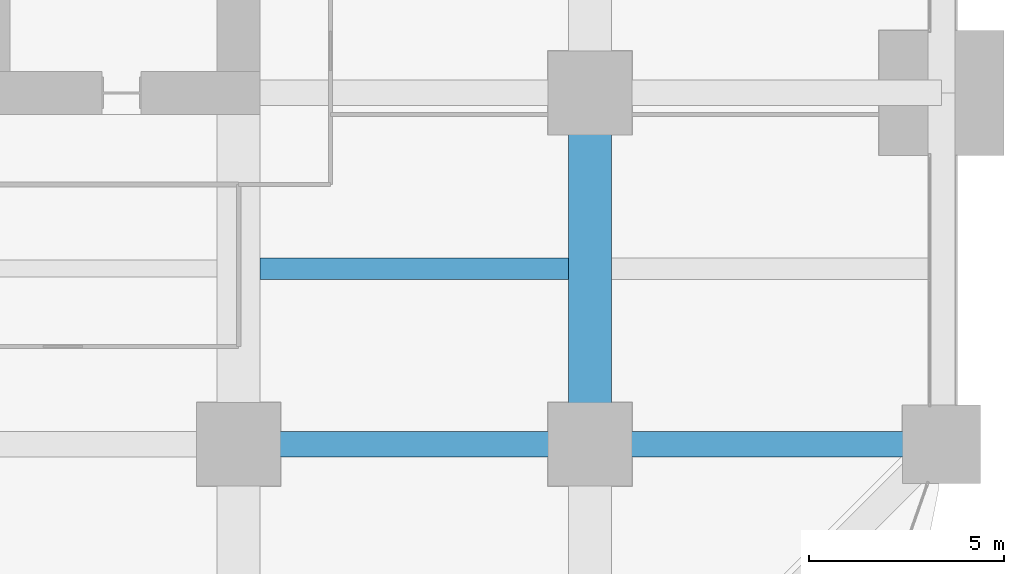
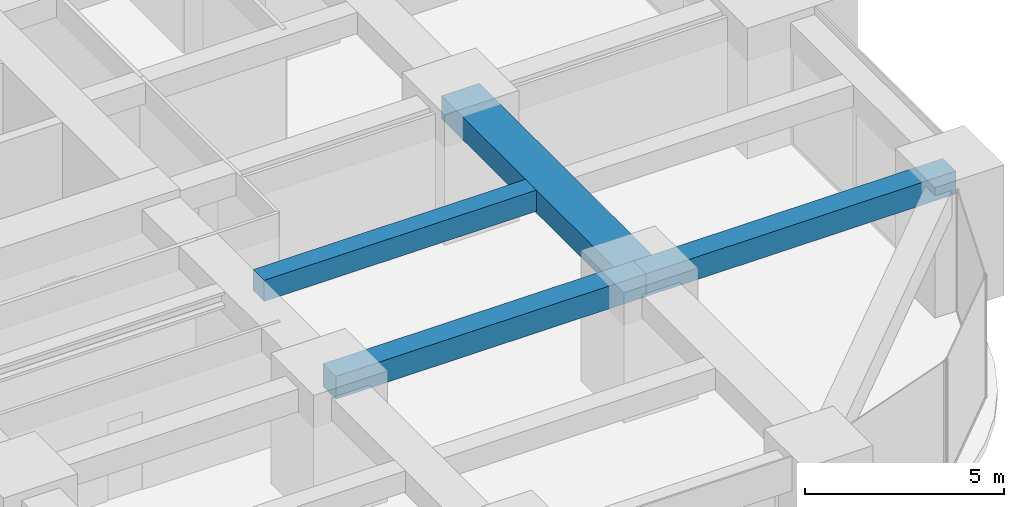
# One storey, part 18 of 41: 4 beams.
"""IFC4 building model written with IfcOpenShell, lengths in metres."""

from ifc_helpers import new_model, si_unit, direction, frame, origin, origin_2d, place, context, subcontext, project, spatial, rectangle, extrude, material, material_profile, profile_set, type_object, element, save


model = new_model("IFC4")

# Units and contexts
model_context = context("Model", 3, precision=1e-05, world=origin(), true_north=direction((0.0, 1.0)))
body_context = subcontext(model_context, "Body", "Model", "MODEL_VIEW")
ifc_project = project(units=[si_unit("LENGTHUNIT", "METRE"), si_unit("AREAUNIT", "SQUARE_METRE"), si_unit("VOLUMEUNIT", "CUBIC_METRE"), si_unit("PLANEANGLEUNIT", "RADIAN"), si_unit("MASSUNIT", "GRAM", prefix="KILO")], contexts=[model_context])

# Site, building, storey
site_placement = place(None, origin())
site = spatial("IfcSite", under=ifc_project, at=site_placement, CompositionType="ELEMENT")
building_placement = place(site_placement, origin())
building = spatial("IfcBuilding", under=site, at=building_placement, Name="Zorevar Civic Tower", CompositionType="ELEMENT")
storey_placement = place(building_placement, frame((0.0, 0.0, 89.0)))
storey = spatial("IfcBuildingStorey", under=building, at=storey_placement, Name="L21", CompositionType="ELEMENT", Elevation=89.0)

# Beams
ifc_material_1 = material(Name="Concrete C50/60", Category="concrete")
ifc_material_profile_1 = material_profile(ifc_material_1, rectangle(XDim=1.10009765625, YDim=0.699951171875, at=origin_2d()), Name="RC 1100x700")
ifc_profile_set_1 = profile_set([ifc_material_profile_1], Name="Concrete C50/60")
beam_type_1 = type_object("IfcBeamType", Name="Beam RC 1100x700", PredefinedType="BEAM", material=ifc_profile_set_1)
beam_1_placement = place(storey_placement, frame((54.0, 9.0, 3.39990234375), z_axis=(0.0, 1.0, 0.0), x_axis=(-1.0, 0.0, 0.0)))
element("IfcBeam", 1, at=beam_1_placement, inside=storey, type_object=beam_type_1, Name="Girder L22", PredefinedType="BEAM", context=body_context, shape_type="SweptSolid", body=[
    extrude(rectangle(XDim=1.10009765625, YDim=0.699951171875, at=origin_2d()), origin(), (0.0, 0.0, 1.0), 9.0),
])
ifc_material_2 = material(Name="Concrete C50/60", Category="concrete")
ifc_material_profile_2 = material_profile(ifc_material_2, rectangle(XDim=0.550048828125, YDim=0.64990234375, at=origin_2d()), Name="RC 550x650")
ifc_profile_set_2 = profile_set([ifc_material_profile_2], Name="Concrete C50/60")
beam_type_2 = type_object("IfcBeamType", Name="Beam RC 550x650", PredefinedType="BEAM", material=ifc_profile_set_2)
beam_2_placement = place(storey_placement, frame((45.550048828125, 13.5, 3.425048828125), z_axis=(1.0, 0.0, 0.0), x_axis=(0.0, 1.0, 0.0)))
element("IfcBeam", 2, at=beam_2_placement, inside=storey, type_object=beam_type_2, Name="Secondary beam L22", PredefinedType="BEAM", context=body_context, shape_type="SweptSolid", body=[
    extrude(rectangle(XDim=0.550048828125, YDim=0.64990234375, at=origin_2d()), origin(), (0.0, 0.0, 1.0), 7.89990234375),
])
ifc_material_3 = material(Name="Concrete C50/60", Category="concrete")
ifc_material_profile_3 = material_profile(ifc_material_3, rectangle(XDim=0.64990234375, YDim=0.699951171875, at=origin_2d()), Name="RC 650x700")
ifc_profile_set_3 = profile_set([ifc_material_profile_3], Name="Concrete C50/60")
beam_type_3 = type_object("IfcBeamType", Name="Beam RC 650x700", PredefinedType="BEAM", material=ifc_profile_set_3)
for number, where, z_axis, x_axis, name in (
    (3, (45.0, 9.0, 3.39990234375), (1.0, 0.0, 0.0), (0.0, 1.0, 0.0), "Girder L22"),
    (4, (54.0, 9.0, 3.39990234375), (1.0, 0.0, 0.0), (0.0, 1.0, 0.0), "Girder L22"),
):
    element("IfcBeam", number, at=place(storey_placement, frame(where, z_axis=z_axis, x_axis=x_axis)), inside=storey, type_object=beam_type_3, Name=name, PredefinedType="BEAM", context=body_context, shape_type="SweptSolid", body=[
        extrude(rectangle(XDim=0.64990234375, YDim=0.699951171875, at=origin_2d()), origin(), (0.0, 0.0, 1.0), 9.0),
    ])

save(model, "model.ifc")
